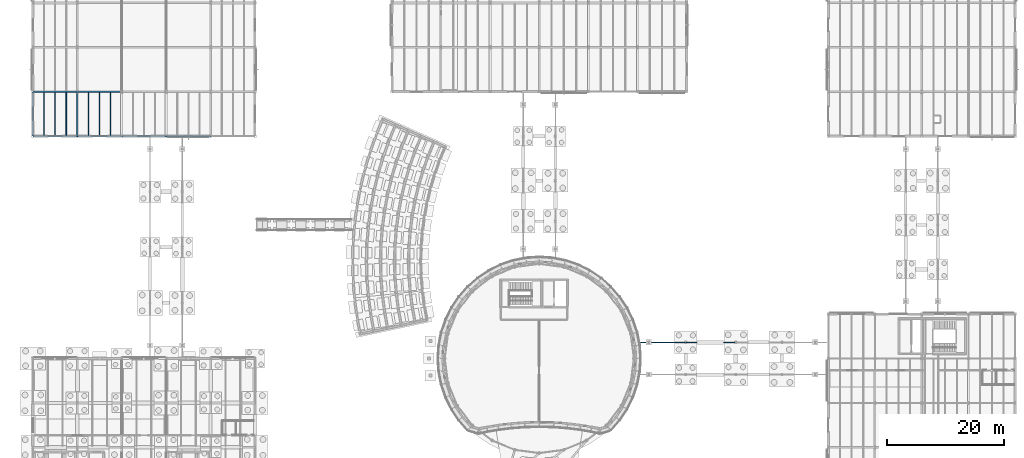
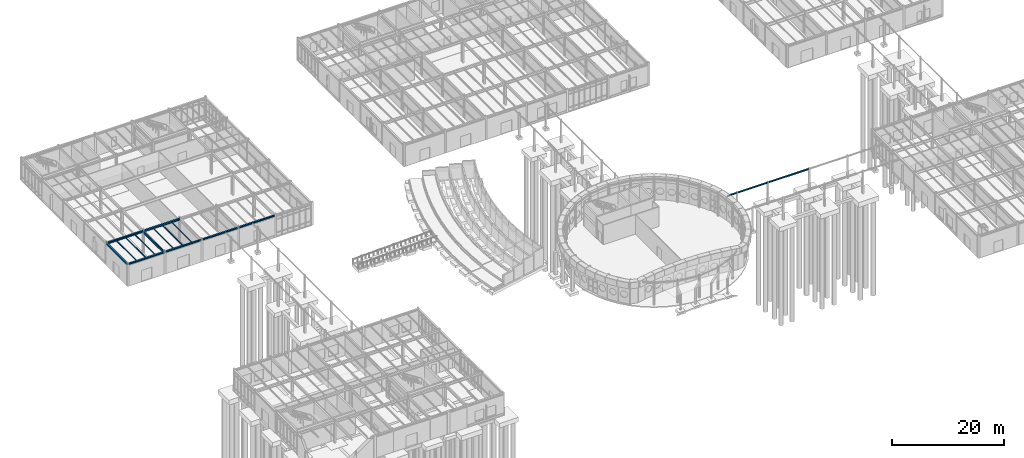
# One storey, part 46 of 109: 15 beams.
"""IFC4 building model written with IfcOpenShell, lengths in metres."""

import ifcopenshell
import ifcopenshell.guid

model = None  # the IFC model being written
_history = None  # IfcOwnerHistory: only IFC2X3 demands one
_inside = {}  # id of a spatial element -> (the spatial element, [elements in it])
_under = {}  # id of a project, library or spatial element -> (it, [spatial elements below it])
_declared = {}  # id of a project -> (the project, [libraries it declares])
_typed = {}  # id of a type object -> (the type object, [elements of that type])
_made_of = {}  # id of a material, layer set ... -> (it, [elements and type objects made of it])


def new_model(schema):
    """Start an empty IFC model of exactly this schema.

    Asked for "IFC4X3", IfcOpenShell would pick the latest addendum, in which some entities
    have other attributes; the version numbers below select the first issue.
    IFC2X3 requires an IfcOwnerHistory on every rooted entity: one is made here for all.
    """
    global model, _history
    if schema == "IFC4X3":
        model = ifcopenshell.file(schema_version=(4, 3, 0, 0))
    else:
        model = ifcopenshell.file(schema=schema)
    _inside.clear()
    _under.clear()
    _declared.clear()
    _typed.clear()
    _made_of.clear()
    _history = None
    if model.schema == "IFC2X3":
        org = make("IfcOrganization", Name="unknown")
        user = make(
            "IfcPersonAndOrganization",
            ThePerson=make("IfcPerson", FamilyName="unknown"),
            TheOrganization=org,
        )
        app = make(
            "IfcApplication",
            ApplicationDeveloper=org,
            Version="unknown",
            ApplicationFullName="unknown",
            ApplicationIdentifier="unknown",
        )
        _history = make(
            "IfcOwnerHistory",
            OwningUser=user,
            OwningApplication=app,
            ChangeAction="ADDED",
            CreationDate=0,
        )
    return model


def make(cls, **values):
    """One entity of the class cls with the attributes given. An attribute that is None is left unset."""
    return model.create_entity(
        cls, **{name: value for name, value in values.items() if value is not None}
    )


def rooted(cls, **values):
    """An entity with a GlobalId (a new one), such as an element, a storey or a relation."""
    return make(cls, GlobalId=ifcopenshell.guid.new(), OwnerHistory=_history, **values)


def si_unit(unit_type, name, prefix=None):
    """IfcSIUnit, for example si_unit("LENGTHUNIT", "METRE", prefix="MILLI")."""
    return make("IfcSIUnit", UnitType=unit_type, Prefix=prefix, Name=name)


def assignment(units):
    """IfcUnitAssignment: the units of a project."""
    return None if units is None else make("IfcUnitAssignment", Units=units)


def point(xyz):
    """IfcCartesianPoint."""
    return None if xyz is None else make("IfcCartesianPoint", Coordinates=xyz)


def direction(xyz):
    """IfcDirection."""
    return None if xyz is None else make("IfcDirection", DirectionRatios=xyz)


def frame(location, z_axis=None, x_axis=None):
    """IfcAxis2Placement3D, a coordinate frame: its origin and axes. An axis left out is left unset."""
    return make(
        "IfcAxis2Placement3D",
        Location=point(location),
        Axis=direction(z_axis),
        RefDirection=direction(x_axis),
    )


def frame_2d(location, x_axis=None):
    """IfcAxis2Placement2D, a coordinate frame in the plane: its origin and x axis."""
    return make(
        "IfcAxis2Placement2D", Location=point(location), RefDirection=direction(x_axis)
    )


def origin():
    """The frame at (0, 0, 0) with its axes left unset."""
    return frame((0.0, 0.0, 0.0))


def origin_2d():
    """The frame at (0, 0) in the plane with its x axis left unset."""
    return frame_2d((0.0, 0.0))


def place(relative_to, where):
    """IfcLocalPlacement: puts the frame where relative to a parent placement (None: the world)."""
    return make(
        "IfcLocalPlacement", PlacementRelTo=relative_to, RelativePlacement=where
    )


def context(
    kind, dimensions, precision=None, world=None, true_north=None, identifier=None
):
    """IfcGeometricRepresentationContext, for example the 3D "Model" context."""
    return make(
        "IfcGeometricRepresentationContext",
        ContextIdentifier=identifier,
        ContextType=kind,
        CoordinateSpaceDimension=dimensions,
        Precision=precision,
        WorldCoordinateSystem=world,
        TrueNorth=true_north,
    )


def subcontext(parent, identifier, kind, view, scale=None):
    """IfcGeometricRepresentationSubContext, for example "Body" below "Model"."""
    return make(
        "IfcGeometricRepresentationSubContext",
        ContextIdentifier=identifier,
        ContextType=kind,
        ParentContext=parent,
        TargetScale=scale,
        TargetView=view,
    )


def project(units=None, contexts=None):
    """IfcProject with its units and contexts."""
    return rooted(
        "IfcProject",
        Name="project",
        RepresentationContexts=contexts,
        UnitsInContext=assignment(units),
    )


def spatial(cls, under=None, at=None, **own):
    """A site, building, storey or space (cls), placed at a placement, below another one or the project."""
    s = rooted(cls, ObjectPlacement=at, **own)
    if under is not None:
        _under.setdefault(under.id(), (under, []))[1].append(s)
    return s


def profile(cls, at=None, kind="AREA", **sizes):
    """A parametric profile (cls). Its sizes go by their IFC names, for example OverallWidth=200.0."""
    return make(cls, ProfileType=kind, Position=at, **sizes)


def i_section(**sizes):
    """IfcIShapeProfileDef."""
    return profile("IfcIShapeProfileDef", **sizes)


def extrude(swept, where, along, depth):
    """IfcExtrudedAreaSolid: the profile swept, set in the frame where, extruded along a direction by depth."""
    return make(
        "IfcExtrudedAreaSolid",
        SweptArea=swept,
        Position=where,
        ExtrudedDirection=direction(along),
        Depth=depth,
    )


def shape(context_of_items, identifier, shape_type, items):
    """IfcShapeRepresentation: the items that make up one representation, for example the "Body"."""
    return make(
        "IfcShapeRepresentation",
        ContextOfItems=context_of_items,
        RepresentationIdentifier=identifier,
        RepresentationType=shape_type,
        Items=items,
    )


def material(Name=None, Category=None):
    """IfcMaterial."""
    return make("IfcMaterial", Name=Name, Category=Category)


def material_profile(
    of_material, cross_section, Name=None, Category=None, Priority=None
):
    """IfcMaterialProfile: a cross section and its material."""
    return make(
        "IfcMaterialProfile",
        Name=Name,
        Material=of_material,
        Profile=cross_section,
        Priority=Priority,
        Category=Category,
    )


def profile_set(profiles, Name=None, composite=None):
    """IfcMaterialProfileSet."""
    return make(
        "IfcMaterialProfileSet",
        Name=Name,
        MaterialProfiles=profiles,
        CompositeProfile=composite,
    )


def made_of(thing, what):
    """Note that an element or type object is made of a material, layer set ...; save() writes the relation."""
    if what is not None:
        _made_of.setdefault(what.id(), (what, []))[1].append(thing)
    return thing


def type_object(cls, material=None, **own):
    """A type object (cls), such as IfcWallType, which elements share."""
    return made_of(rooted(cls, **own), material)


def element(
    cls,
    number,
    at=None,
    inside=None,
    cuts=None,
    type_object=None,
    material=None,
    context=None,
    identifier="Body",
    shape_type=None,
    held_by="IfcProductDefinitionShape",
    body=None,
    shapes=None,
    **own,
):
    """One element of the class cls, such as IfcWall. Its Tag is "e" and its number.

    at: its placement. inside: the storey or other place that contains it. cuts: it is an
    opening in that element (IfcRelVoidsElement). A single representation is given by context,
    identifier, shape_type and body (its items); several are given by shapes. held_by: the class
    of the entity that holds the representations. save() writes the other relations.
    """
    e = rooted(cls, Tag="e%d" % number, ObjectPlacement=at, **own)
    if body is not None:
        shapes = [shape(context, identifier, shape_type, body)]
    if shapes is not None:
        e.Representation = make(held_by, Representations=shapes)
    if inside is not None:
        _inside.setdefault(inside.id(), (inside, []))[1].append(e)
    if cuts is not None:
        rooted(
            "IfcRelVoidsElement", RelatingBuildingElement=cuts, RelatedOpeningElement=e
        )
    if type_object is not None:
        _typed.setdefault(type_object.id(), (type_object, []))[1].append(e)
    return made_of(e, material)


def aggregate(whole, parts):
    """IfcRelAggregates: a whole, such as a stair, and the parts it consists of."""
    return rooted("IfcRelAggregates", RelatingObject=whole, RelatedObjects=parts)


def save(model, path):
    """Write the relations noted so far, then the file.

    IfcRelAggregates (storeys below a building ...), IfcRelContainedInSpatialStructure (elements
    in a storey), IfcRelDefinesByType, IfcRelAssociatesMaterial and IfcRelDeclares: one each for
    every whole, place, type object, material and project.
    """
    for whole, parts in _under.values():
        aggregate(whole, parts)
    for where, things in _inside.values():
        rooted(
            "IfcRelContainedInSpatialStructure",
            RelatedElements=things,
            RelatingStructure=where,
        )
    for kind, things in _typed.values():
        rooted("IfcRelDefinesByType", RelatedObjects=things, RelatingType=kind)
    for what, things in _made_of.values():
        rooted("IfcRelAssociatesMaterial", RelatedObjects=things, RelatingMaterial=what)
    for by, libraries in _declared.values():
        rooted("IfcRelDeclares", RelatingContext=by, RelatedDefinitions=libraries)
    model.write(path)


model = new_model("IFC4")

# Units and contexts
model_context = context("Model", 3, precision=1e-05, world=origin(), true_north=direction((0.0, 1.0)))
body_context = subcontext(model_context, "Body", "Model", "MODEL_VIEW")
ifc_project = project(units=[si_unit("LENGTHUNIT", "METRE"), si_unit("AREAUNIT", "SQUARE_METRE"), si_unit("VOLUMEUNIT", "CUBIC_METRE"), si_unit("PLANEANGLEUNIT", "RADIAN"), si_unit("MASSUNIT", "GRAM", prefix="KILO")], contexts=[model_context])

# Site, building, storey
site_placement = place(None, origin())
site = spatial("IfcSite", under=ifc_project, at=site_placement, CompositionType="ELEMENT")
building_placement = place(site_placement, origin())
building = spatial("IfcBuilding", under=site, at=building_placement, Name="Montecoro Central Library", CompositionType="ELEMENT")
storey_placement = place(building_placement, origin())
storey = spatial("IfcBuildingStorey", under=building, at=storey_placement, Name="L00", CompositionType="ELEMENT", Elevation=0.0)

# Beams
ifc_material_1 = material(Name="Steel S355", Category="steel")
ifc_material_profile_1 = material_profile(ifc_material_1, i_section(OverallWidth=0.300048828125, OverallDepth=0.389892578125, WebThickness=0.010986328125, FlangeThickness=0.01904296875, at=origin_2d()), Name="HEA 400")
ifc_profile_set_1 = profile_set([ifc_material_profile_1], Name="Steel S355")
beam_type_1 = type_object("IfcBeamType", Name="BM-G-HEA400", PredefinedType="USERDEFINED", material=ifc_profile_set_1)
for number, where, z_axis, x_axis, name in (
    (1, (5.0048828125, 81.0, 4.64990234375), (1.0, 0.0, 0.0), (0.0, 1.0, 0.0), "V4-L00-BX-12-L"),
    (2, (12.60498046875, 81.0, 4.64990234375), (1.0, 0.0, 0.0), (0.0, 1.0, 0.0), "V4-L00-BX-23-L"),
):
    element("IfcBeam", number, at=place(storey_placement, frame(where, z_axis=z_axis, x_axis=x_axis)), inside=storey, type_object=beam_type_1, Name=name, ObjectType="GIRDER", PredefinedType="USERDEFINED", context=body_context, shape_type="SweptSolid", body=[
        extrude(i_section(OverallWidth=0.300048828125, OverallDepth=0.389892578125, WebThickness=0.010986328125, FlangeThickness=0.01904296875, at=origin_2d()), origin(), (0.0, 0.0, 1.0), 7.590087890625),
    ])
ifc_material_2 = material(Name="Steel S355J2", Category="steel")
ifc_material_profile_2 = material_profile(ifc_material_2, i_section(OverallWidth=0.2099609375, OverallDepth=0.550048828125, WebThickness=0.010986328125, FlangeThickness=0.01708984375, at=origin_2d()), Name="IPE 550")
ifc_profile_set_2 = profile_set([ifc_material_profile_2], Name="Steel S355J2")
beam_type_2 = type_object("IfcBeamType", Name="BM-G-IPE550", PredefinedType="USERDEFINED", material=ifc_profile_set_2)
beam_1_placement = place(storey_placement, frame((12.60009765625, 73.405029296875, 4.570068359375), z_axis=(0.0, 1.0, 0.0), x_axis=(-1.0, 0.0, 0.0)))
element("IfcBeam", 3, at=beam_1_placement, inside=storey, type_object=beam_type_2, Name="V4-L00-BY-2-KL", ObjectType="GIRDER", PredefinedType="USERDEFINED", context=body_context, shape_type="SweptSolid", body=[
    extrude(i_section(OverallWidth=0.2099609375, OverallDepth=0.550048828125, WebThickness=0.010986328125, FlangeThickness=0.01708984375, at=origin_2d()), origin(), (0.0, 0.0, 1.0), 7.590087890625),
])
ifc_material_profile_3 = material_profile(ifc_material_1, i_section(OverallWidth=0.110107421875, OverallDepth=0.219970703125, WebThickness=0.005859375, FlangeThickness=0.00927734375, at=origin_2d()), Name="IPE 220")
ifc_profile_set_3 = profile_set([ifc_material_profile_3], Name="Steel S355")
beam_type_3 = type_object("IfcBeamType", Name="BM-J-IPE220", PredefinedType="JOIST", material=ifc_profile_set_3)
for number, where, z_axis, x_axis, name in (
    (4, (6.89990234375, 73.547119140625, 4.735107421875), (0.0, 1.0, 0.0), (-1.0, 0.0, 0.0), "V4-L00-JS-12-KL-1"),
    (5, (8.800048828125, 73.547119140625, 4.735107421875), (0.0, 1.0, 0.0), (-1.0, 0.0, 0.0), "V4-L00-JS-12-KL-2"),
    (6, (10.699951171875, 73.547119140625, 4.735107421875), (0.0, 1.0, 0.0), (-1.0, 0.0, 0.0), "V4-L00-JS-12-KL-3"),
    (7, (14.5, 73.547119140625, 4.735107421875), (0.0, 1.0, 0.0), (-1.0, 0.0, 0.0), "V4-L00-JS-23-KL-1"),
    (8, (16.39990234375, 73.547119140625, 4.735107421875), (0.0, 1.0, 0.0), (-1.0, 0.0, 0.0), "V4-L00-JS-23-KL-2"),
    (9, (18.300048828125, 73.547119140625, 4.735107421875), (0.0, 1.0, 0.0), (-1.0, 0.0, 0.0), "V4-L00-JS-23-KL-3"),
):
    element("IfcBeam", number, at=place(storey_placement, frame(where, z_axis=z_axis, x_axis=x_axis)), inside=storey, type_object=beam_type_3, Name=name, PredefinedType="JOIST", context=body_context, shape_type="SweptSolid", body=[
        extrude(i_section(OverallWidth=0.110107421875, OverallDepth=0.219970703125, WebThickness=0.005859375, FlangeThickness=0.00927734375, at=origin_2d()), origin(), (0.0, 0.0, 1.0), 7.305908203125),
    ])
ifc_material_profile_4 = material_profile(ifc_material_1, i_section(OverallWidth=0.300048828125, OverallDepth=0.2900390625, WebThickness=0.008544921875, FlangeThickness=0.013916015625, at=origin_2d()), Name="HEA 300")
ifc_profile_set_4 = profile_set([ifc_material_profile_4], Name="Steel S355")
beam_type_4 = type_object("IfcBeamType", Name="BM-SP-HEA300", PredefinedType="SPANDREL", material=ifc_profile_set_4)
for number, where, z_axis, x_axis, name in (
    (10, (5.0048828125, 73.39990234375, 4.699951171875), (1.0, 0.0, 0.0), (0.0, 1.0, 0.0), "V4-L00-BX-12-K"),
    (11, (12.60498046875, 73.39990234375, 4.699951171875), (1.0, 0.0, 0.0), (0.0, 1.0, 0.0), "V4-L00-BX-23-K"),
):
    element("IfcBeam", number, at=place(storey_placement, frame(where, z_axis=z_axis, x_axis=x_axis)), inside=storey, type_object=beam_type_4, Name=name, PredefinedType="SPANDREL", context=body_context, shape_type="SweptSolid", body=[
        extrude(i_section(OverallWidth=0.300048828125, OverallDepth=0.2900390625, WebThickness=0.008544921875, FlangeThickness=0.013916015625, at=origin_2d()), origin(), (0.0, 0.0, 1.0), 7.590087890625),
    ])
beam_2_placement = place(storey_placement, frame((20.205078125, 73.39990234375, 4.699951171875), z_axis=(1.0, 0.0, 0.0), x_axis=(0.0, 1.0, 0.0)))
element("IfcBeam", 12, at=beam_2_placement, inside=storey, type_object=beam_type_4, Name="V4-L00-BX-34-K", PredefinedType="SPANDREL", context=body_context, shape_type="SweptSolid", body=[
    extrude(i_section(OverallWidth=0.300048828125, OverallDepth=0.2900390625, WebThickness=0.008544921875, FlangeThickness=0.013916015625, at=origin_2d()), origin(), (0.0, 0.0, 1.0), 7.58984375),
])
for number, where, z_axis, x_axis, name in (
    (13, (27.804931640625, 73.39990234375, 4.699951171875), (1.0, 0.0, 0.0), (0.0, 1.0, 0.0), "V4-L00-BX-45-K"),
    (14, (5.0, 73.405029296875, 4.699951171875), (0.0, 1.0, 0.0), (-1.0, 0.0, 0.0), "V4-L00-BY-1-KL"),
):
    element("IfcBeam", number, at=place(storey_placement, frame(where, z_axis=z_axis, x_axis=x_axis)), inside=storey, type_object=beam_type_4, Name=name, PredefinedType="SPANDREL", context=body_context, shape_type="SweptSolid", body=[
        extrude(i_section(OverallWidth=0.300048828125, OverallDepth=0.2900390625, WebThickness=0.008544921875, FlangeThickness=0.013916015625, at=origin_2d()), origin(), (0.0, 0.0, 1.0), 7.590087890625),
    ])
ifc_material_profile_5 = material_profile(ifc_material_1, i_section(OverallWidth=0.1201171875, OverallDepth=0.239990234375, WebThickness=0.006103515625, FlangeThickness=0.009765625, at=origin_2d()), Name="IPE 240")
ifc_profile_set_5 = profile_set([ifc_material_profile_5], Name="Steel S355")
beam_type_5 = type_object("IfcBeamType", Name="BM-SP-IPE240", PredefinedType="SPANDREL", material=ifc_profile_set_5)
beam_3_placement = place(storey_placement, frame((108.340087890625, 38.14990234375, 4.794921875), z_axis=(1.0, 0.0, 0.0), x_axis=(0.0, 1.0, 0.0)))
element("IfcBeam", 15, at=beam_3_placement, inside=storey, type_object=beam_type_5, Name="BR-SE-L01-BM-N1", PredefinedType="SPANDREL", context=body_context, shape_type="SweptSolid", body=[
    extrude(i_section(OverallWidth=0.1201171875, OverallDepth=0.239990234375, WebThickness=0.006103515625, FlangeThickness=0.009765625, at=origin_2d()), origin(), (0.0, 0.0, 1.0), 16.699951171875),
])

save(model, "model.ifc")
